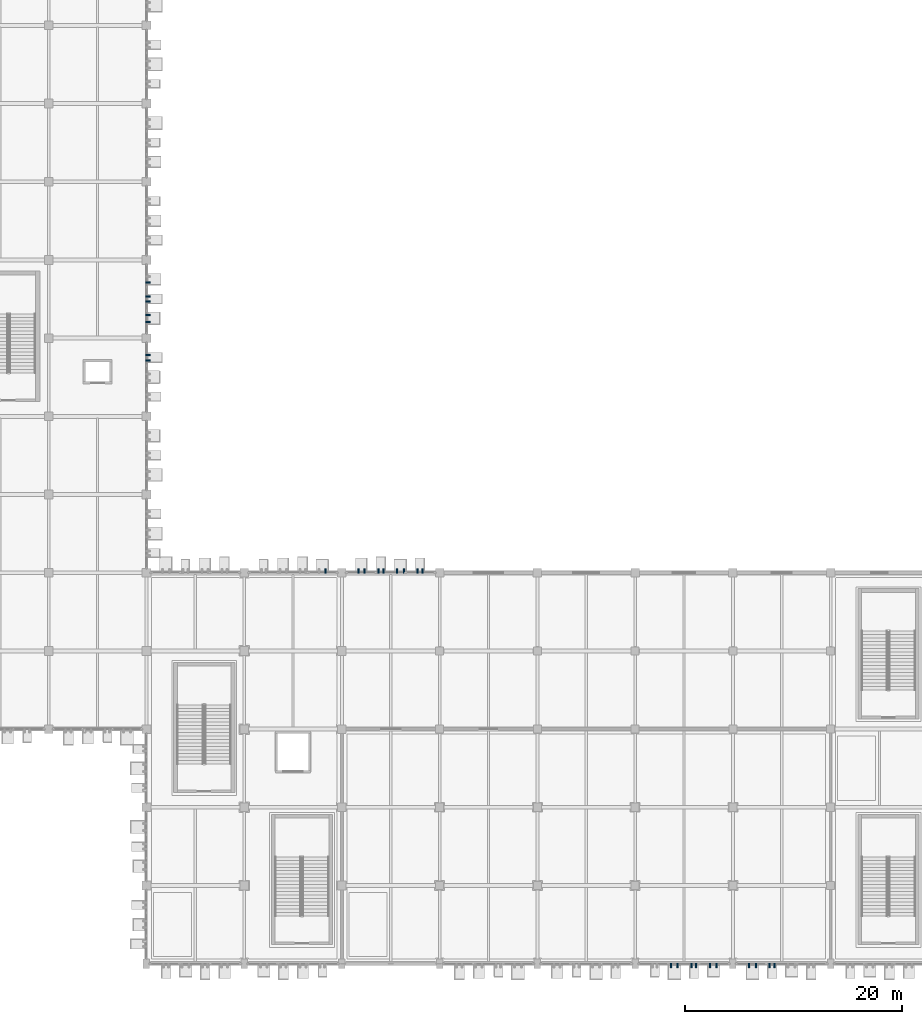
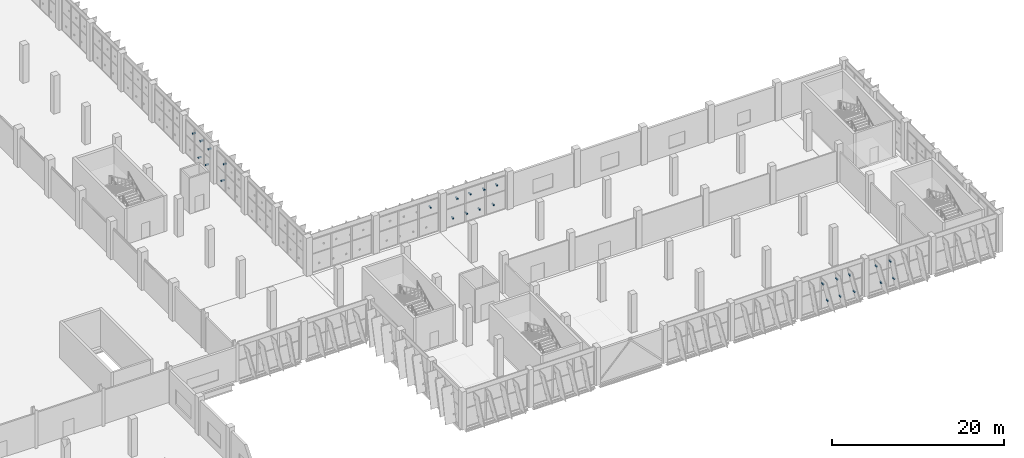
# One storey, part 105 of 137: 26 discrete accessories.
"""IFC4 building model written with IfcOpenShell, lengths in metres."""

import ifcopenshell
import ifcopenshell.guid

model = None  # the IFC model being written
_history = None  # IfcOwnerHistory: only IFC2X3 demands one
_inside = {}  # id of a spatial element -> (the spatial element, [elements in it])
_under = {}  # id of a project, library or spatial element -> (it, [spatial elements below it])
_declared = {}  # id of a project -> (the project, [libraries it declares])
_typed = {}  # id of a type object -> (the type object, [elements of that type])
_made_of = {}  # id of a material, layer set ... -> (it, [elements and type objects made of it])


def new_model(schema):
    """Start an empty IFC model of exactly this schema.

    Asked for "IFC4X3", IfcOpenShell would pick the latest addendum, in which some entities
    have other attributes; the version numbers below select the first issue.
    IFC2X3 requires an IfcOwnerHistory on every rooted entity: one is made here for all.
    """
    global model, _history
    if schema == "IFC4X3":
        model = ifcopenshell.file(schema_version=(4, 3, 0, 0))
    else:
        model = ifcopenshell.file(schema=schema)
    _inside.clear()
    _under.clear()
    _declared.clear()
    _typed.clear()
    _made_of.clear()
    _history = None
    if model.schema == "IFC2X3":
        org = make("IfcOrganization", Name="unknown")
        user = make(
            "IfcPersonAndOrganization",
            ThePerson=make("IfcPerson", FamilyName="unknown"),
            TheOrganization=org,
        )
        app = make(
            "IfcApplication",
            ApplicationDeveloper=org,
            Version="unknown",
            ApplicationFullName="unknown",
            ApplicationIdentifier="unknown",
        )
        _history = make(
            "IfcOwnerHistory",
            OwningUser=user,
            OwningApplication=app,
            ChangeAction="ADDED",
            CreationDate=0,
        )
    return model


def make(cls, **values):
    """One entity of the class cls with the attributes given. An attribute that is None is left unset."""
    return model.create_entity(
        cls, **{name: value for name, value in values.items() if value is not None}
    )


def rooted(cls, **values):
    """An entity with a GlobalId (a new one), such as an element, a storey or a relation."""
    return make(cls, GlobalId=ifcopenshell.guid.new(), OwnerHistory=_history, **values)


def si_unit(unit_type, name, prefix=None):
    """IfcSIUnit, for example si_unit("LENGTHUNIT", "METRE", prefix="MILLI")."""
    return make("IfcSIUnit", UnitType=unit_type, Prefix=prefix, Name=name)


def assignment(units):
    """IfcUnitAssignment: the units of a project."""
    return None if units is None else make("IfcUnitAssignment", Units=units)


def point(xyz):
    """IfcCartesianPoint."""
    return None if xyz is None else make("IfcCartesianPoint", Coordinates=xyz)


def direction(xyz):
    """IfcDirection."""
    return None if xyz is None else make("IfcDirection", DirectionRatios=xyz)


def frame(location, z_axis=None, x_axis=None):
    """IfcAxis2Placement3D, a coordinate frame: its origin and axes. An axis left out is left unset."""
    return make(
        "IfcAxis2Placement3D",
        Location=point(location),
        Axis=direction(z_axis),
        RefDirection=direction(x_axis),
    )


def frame_2d(location, x_axis=None):
    """IfcAxis2Placement2D, a coordinate frame in the plane: its origin and x axis."""
    return make(
        "IfcAxis2Placement2D", Location=point(location), RefDirection=direction(x_axis)
    )


def origin():
    """The frame at (0, 0, 0) with its axes left unset."""
    return frame((0.0, 0.0, 0.0))


def origin_2d():
    """The frame at (0, 0) in the plane with its x axis left unset."""
    return frame_2d((0.0, 0.0))


def place(relative_to, where):
    """IfcLocalPlacement: puts the frame where relative to a parent placement (None: the world)."""
    return make(
        "IfcLocalPlacement", PlacementRelTo=relative_to, RelativePlacement=where
    )


def context(
    kind, dimensions, precision=None, world=None, true_north=None, identifier=None
):
    """IfcGeometricRepresentationContext, for example the 3D "Model" context."""
    return make(
        "IfcGeometricRepresentationContext",
        ContextIdentifier=identifier,
        ContextType=kind,
        CoordinateSpaceDimension=dimensions,
        Precision=precision,
        WorldCoordinateSystem=world,
        TrueNorth=true_north,
    )


def subcontext(parent, identifier, kind, view, scale=None):
    """IfcGeometricRepresentationSubContext, for example "Body" below "Model"."""
    return make(
        "IfcGeometricRepresentationSubContext",
        ContextIdentifier=identifier,
        ContextType=kind,
        ParentContext=parent,
        TargetScale=scale,
        TargetView=view,
    )


def project(units=None, contexts=None):
    """IfcProject with its units and contexts."""
    return rooted(
        "IfcProject",
        Name="project",
        RepresentationContexts=contexts,
        UnitsInContext=assignment(units),
    )


def spatial(cls, under=None, at=None, **own):
    """A site, building, storey or space (cls), placed at a placement, below another one or the project."""
    s = rooted(cls, ObjectPlacement=at, **own)
    if under is not None:
        _under.setdefault(under.id(), (under, []))[1].append(s)
    return s


def profile(cls, at=None, kind="AREA", **sizes):
    """A parametric profile (cls). Its sizes go by their IFC names, for example OverallWidth=200.0."""
    return make(cls, ProfileType=kind, Position=at, **sizes)


def rectangle(**sizes):
    """IfcRectangleProfileDef."""
    return profile("IfcRectangleProfileDef", **sizes)


def extrude(swept, where, along, depth):
    """IfcExtrudedAreaSolid: the profile swept, set in the frame where, extruded along a direction by depth."""
    return make(
        "IfcExtrudedAreaSolid",
        SweptArea=swept,
        Position=where,
        ExtrudedDirection=direction(along),
        Depth=depth,
    )


def shape(context_of_items, identifier, shape_type, items):
    """IfcShapeRepresentation: the items that make up one representation, for example the "Body"."""
    return make(
        "IfcShapeRepresentation",
        ContextOfItems=context_of_items,
        RepresentationIdentifier=identifier,
        RepresentationType=shape_type,
        Items=items,
    )


def material(Name=None, Category=None):
    """IfcMaterial."""
    return make("IfcMaterial", Name=Name, Category=Category)


def made_of(thing, what):
    """Note that an element or type object is made of a material, layer set ...; save() writes the relation."""
    if what is not None:
        _made_of.setdefault(what.id(), (what, []))[1].append(thing)
    return thing


def type_object(cls, material=None, **own):
    """A type object (cls), such as IfcWallType, which elements share."""
    return made_of(rooted(cls, **own), material)


def element(
    cls,
    number,
    at=None,
    inside=None,
    cuts=None,
    type_object=None,
    material=None,
    context=None,
    identifier="Body",
    shape_type=None,
    held_by="IfcProductDefinitionShape",
    body=None,
    shapes=None,
    **own,
):
    """One element of the class cls, such as IfcWall. Its Tag is "e" and its number.

    at: its placement. inside: the storey or other place that contains it. cuts: it is an
    opening in that element (IfcRelVoidsElement). A single representation is given by context,
    identifier, shape_type and body (its items); several are given by shapes. held_by: the class
    of the entity that holds the representations. save() writes the other relations.
    """
    e = rooted(cls, Tag="e%d" % number, ObjectPlacement=at, **own)
    if body is not None:
        shapes = [shape(context, identifier, shape_type, body)]
    if shapes is not None:
        e.Representation = make(held_by, Representations=shapes)
    if inside is not None:
        _inside.setdefault(inside.id(), (inside, []))[1].append(e)
    if cuts is not None:
        rooted(
            "IfcRelVoidsElement", RelatingBuildingElement=cuts, RelatedOpeningElement=e
        )
    if type_object is not None:
        _typed.setdefault(type_object.id(), (type_object, []))[1].append(e)
    return made_of(e, material)


def aggregate(whole, parts):
    """IfcRelAggregates: a whole, such as a stair, and the parts it consists of."""
    return rooted("IfcRelAggregates", RelatingObject=whole, RelatedObjects=parts)


def save(model, path):
    """Write the relations noted so far, then the file.

    IfcRelAggregates (storeys below a building ...), IfcRelContainedInSpatialStructure (elements
    in a storey), IfcRelDefinesByType, IfcRelAssociatesMaterial and IfcRelDeclares: one each for
    every whole, place, type object, material and project.
    """
    for whole, parts in _under.values():
        aggregate(whole, parts)
    for where, things in _inside.values():
        rooted(
            "IfcRelContainedInSpatialStructure",
            RelatedElements=things,
            RelatingStructure=where,
        )
    for kind, things in _typed.values():
        rooted("IfcRelDefinesByType", RelatedObjects=things, RelatingType=kind)
    for what, things in _made_of.values():
        rooted("IfcRelAssociatesMaterial", RelatedObjects=things, RelatingMaterial=what)
    for by, libraries in _declared.values():
        rooted("IfcRelDeclares", RelatingContext=by, RelatedDefinitions=libraries)
    model.write(path)


model = new_model("IFC4")

# Units and contexts
model_context = context("Model", 3, precision=1e-05, world=origin(), true_north=direction((0.0, 1.0)))
body_context = subcontext(model_context, "Body", "Model", "MODEL_VIEW")
ifc_project = project(units=[si_unit("LENGTHUNIT", "METRE"), si_unit("AREAUNIT", "SQUARE_METRE"), si_unit("VOLUMEUNIT", "CUBIC_METRE"), si_unit("PLANEANGLEUNIT", "RADIAN"), si_unit("MASSUNIT", "GRAM", prefix="KILO")], contexts=[model_context])

# Site, building, storey
site_placement = place(None, origin())
site = spatial("IfcSite", under=ifc_project, at=site_placement, CompositionType="ELEMENT")
building_placement = place(site_placement, origin())
building = spatial("IfcBuilding", under=site, at=building_placement, Name="Celestram Park Convention Centre", CompositionType="ELEMENT")
storey_placement = place(building_placement, origin())
storey = spatial("IfcBuildingStorey", under=building, at=storey_placement, Name="L00", CompositionType="ELEMENT", Elevation=0.0)

# Discrete accessories
ifc_material = material(Name="Steel ASTM A500 Grade C", Category="steel")
discrete_accessory_type = type_object("IfcDiscreteAccessoryType", Name="ARC-BRK-OUT400", PredefinedType="BRACKET", material=ifc_material)
for number, where, z_axis, x_axis, name in (
    (1, (144.14990234375, 62.7177734375, 3.65673828125), (0.0, 0.0, 1.0), (1.0, 0.0, 0.0), "Solar fin outrigger bracket BK-L00-0088"),
    (2, (144.14990234375, 61.443115234375, 1.01513671875), (0.0, 0.0, 1.0), (1.0, 0.0, 0.0), "Solar fin outrigger bracket BK-L00-0089"),
    (3, (144.14990234375, 60.956787109375, 3.66455078125), (0.0, 0.0, 1.0), (1.0, 0.0, 0.0), "Solar fin outrigger bracket BK-L00-0090"),
    (4, (144.14990234375, 59.712158203125, 1.02978515625), (0.0, 0.0, 1.0), (1.0, 0.0, 0.0), "Solar fin outrigger bracket BK-L00-0091"),
    (5, (144.14990234375, 59.087890625, 3.650390625), (0.0, 0.0, 1.0), (1.0, 0.0, 0.0), "Solar fin outrigger bracket BK-L00-0092"),
    (6, (144.14990234375, 56.043212890625, 1.01513671875), (0.0, 0.0, 1.0), (1.0, 0.0, 0.0), "Solar fin outrigger bracket BK-L00-0093"),
    (7, (144.14990234375, 55.556884765625, 3.66455078125), (0.0, 0.0, 1.0), (1.0, 0.0, 0.0), "Solar fin outrigger bracket BK-L00-0094"),
    (8, (160.50732421875, 36.14990234375, 3.59375), (0.0, 0.0, 1.0), (0.0, 1.0, 0.0), "Solar fin outrigger bracket BK-L00-0126"),
    (9, (163.52197265625, 36.14990234375, 1.0068359375), (0.0, 0.0, 1.0), (0.0, 1.0, 0.0), "Solar fin outrigger bracket BK-L00-0127"),
    (10, (164.077880859375, 36.14990234375, 3.6005859375), (0.0, 0.0, 1.0), (0.0, 1.0, 0.0), "Solar fin outrigger bracket BK-L00-0128"),
    (11, (165.360595703125, 36.14990234375, 0.9990234375), (0.0, 0.0, 1.0), (0.0, 1.0, 0.0), "Solar fin outrigger bracket BK-L00-0129"),
    (12, (165.83935546875, 36.14990234375, 3.60791015625), (0.0, 0.0, 1.0), (0.0, 1.0, 0.0), "Solar fin outrigger bracket BK-L00-0130"),
    (13, (167.092529296875, 36.14990234375, 1.01318359375), (0.0, 0.0, 1.0), (0.0, 1.0, 0.0), "Solar fin outrigger bracket BK-L00-0131"),
    (14, (167.70751953125, 36.14990234375, 3.59375), (0.0, 0.0, 1.0), (0.0, 1.0, 0.0), "Solar fin outrigger bracket BK-L00-0132"),
    (15, (168.97412109375, 36.14990234375, 0.99658203125), (0.0, 0.0, 1.0), (0.0, 1.0, 0.0), "Solar fin outrigger bracket BK-L00-0133"),
    (16, (169.42578125, 36.14990234375, 3.6103515625), (0.0, 0.0, 1.0), (0.0, 1.0, 0.0), "Solar fin outrigger bracket BK-L00-0134"),
    (17, (201.82568359375, -0.14990234375, 0.99658203125), (0.0, 0.0, 1.0), (0.0, -1.0, 0.0), "Solar fin outrigger bracket BK-L00-0177"),
    (18, (201.374267578125, -0.14990234375, 3.6103515625), (0.0, 0.0, 1.0), (0.0, -1.0, 0.0), "Solar fin outrigger bracket BK-L00-0178"),
    (19, (200.116455078125, -0.14990234375, 1.015625), (0.0, 0.0, 1.0), (0.0, -1.0, 0.0), "Solar fin outrigger bracket BK-L00-0179"),
    (20, (199.483642578125, -0.14990234375, 3.591796875), (0.0, 0.0, 1.0), (0.0, -1.0, 0.0), "Solar fin outrigger bracket BK-L00-0180"),
    (21, (196.50732421875, -0.14990234375, 1.01318359375), (0.0, 0.0, 1.0), (0.0, -1.0, 0.0), "Solar fin outrigger bracket BK-L00-0181"),
    (22, (195.892578125, -0.14990234375, 3.59375), (0.0, 0.0, 1.0), (0.0, -1.0, 0.0), "Solar fin outrigger bracket BK-L00-0182"),
    (23, (194.625732421875, -0.14990234375, 0.99658203125), (0.0, 0.0, 1.0), (0.0, -1.0, 0.0), "Solar fin outrigger bracket BK-L00-0183"),
    (24, (194.17431640625, -0.14990234375, 3.6103515625), (0.0, 0.0, 1.0), (0.0, -1.0, 0.0), "Solar fin outrigger bracket BK-L00-0184"),
    (25, (192.91650390625, -0.14990234375, 1.015625), (0.0, 0.0, 1.0), (0.0, -1.0, 0.0), "Solar fin outrigger bracket BK-L00-0185"),
    (26, (192.28369140625, -0.14990234375, 3.591796875), (0.0, 0.0, 1.0), (0.0, -1.0, 0.0), "Solar fin outrigger bracket BK-L00-0186"),
):
    element("IfcDiscreteAccessory", number, at=place(storey_placement, frame(where, z_axis=z_axis, x_axis=x_axis)), inside=storey, type_object=discrete_accessory_type, Name=name, PredefinedType="BRACKET", context=body_context, shape_type="SweptSolid", body=[
        extrude(rectangle(XDim=0.39990234375, YDim=0.139892578125, at=origin_2d()), origin(), (0.0, 0.0, 1.0), 0.139892578125),
    ])

save(model, "model.ifc")
